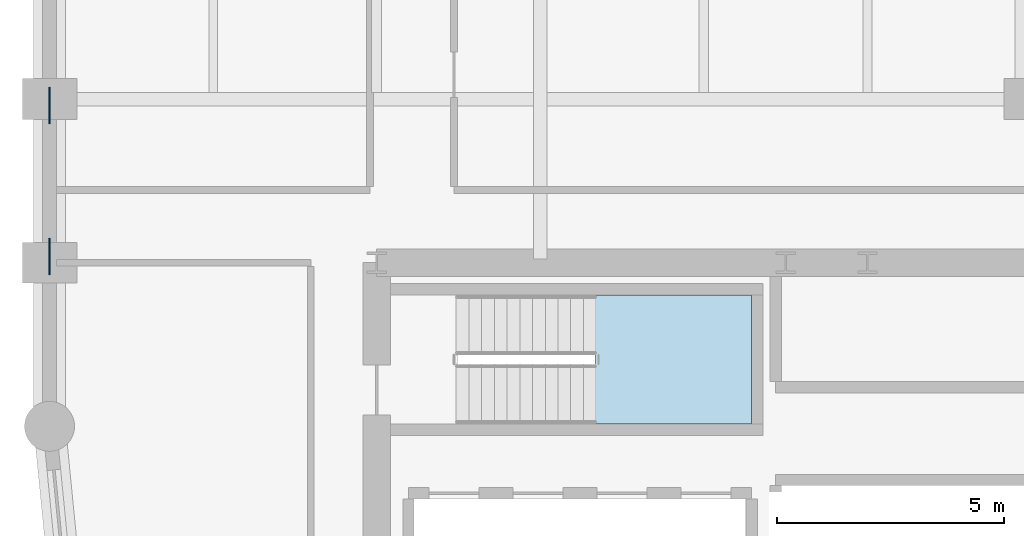
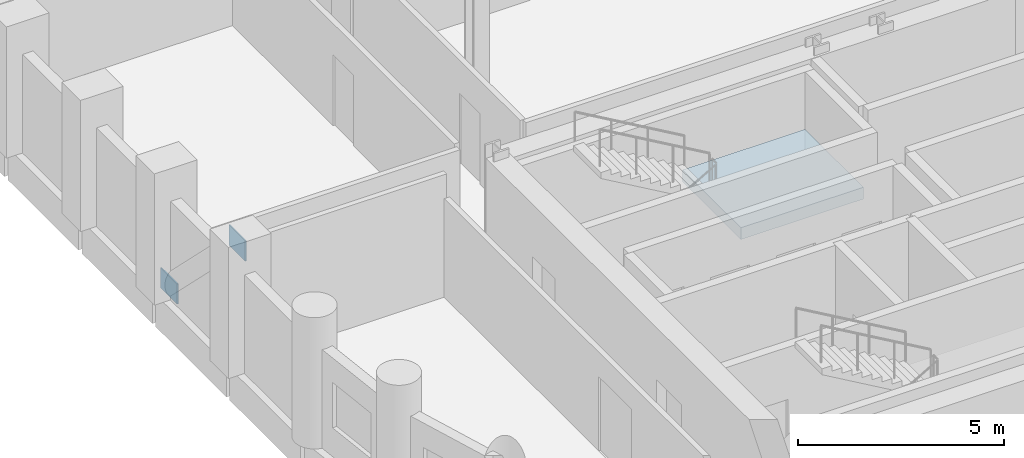
# One storey, part 3 of 9: 2 plates, 1 slab, 1 element without a shape of its own.
"""IFC4 building model written with IfcOpenShell, lengths in metres."""

from ifc_helpers import new_model, si_unit, direction, frame, origin, origin_2d, place, context, subcontext, project, spatial, polyline, rectangle, outline, extrude, material, layer, layer_set, type_object, element, aggregate, save


model = new_model("IFC4")

# Units and contexts
model_context = context("Model", 3, precision=1e-05, world=origin(), true_north=direction((0.0, 1.0)))
body_context = subcontext(model_context, "Body", "Model", "MODEL_VIEW")
ifc_project = project(units=[si_unit("LENGTHUNIT", "METRE"), si_unit("AREAUNIT", "SQUARE_METRE"), si_unit("VOLUMEUNIT", "CUBIC_METRE"), si_unit("PLANEANGLEUNIT", "RADIAN"), si_unit("MASSUNIT", "GRAM", prefix="KILO")], contexts=[model_context])

# Site, building, storey
site_placement = place(None, origin())
site = spatial("IfcSite", under=ifc_project, at=site_placement, CompositionType="ELEMENT")
building_placement = place(site_placement, origin())
building = spatial("IfcBuilding", under=site, at=building_placement, Name="Solnavia Interchange Tower", CompositionType="ELEMENT")
storey_placement = place(building_placement, frame((0.0, 0.0, 66.89990234375)))
storey = spatial("IfcBuildingStorey", under=building, at=storey_placement, Name="L16", CompositionType="ELEMENT", Elevation=66.89990234375)

# Plates
ifc_material_1 = material(Name="Steel S460", Category="steel")
ifc_layer_1 = layer(ifc_material_1, 0.035888671875)
ifc_layer_set_1 = layer_set([ifc_layer_1], Name="Steel S460")
plate_type = type_object("IfcPlateType", Name="Plate-Gusset-800x600x36", PredefinedType="USERDEFINED", material=ifc_layer_set_1)
for number, where, z_axis, x_axis, name in (
    (1, (7.199951171875, 28.659912109375, -0.119873046875), (0.0, 0.0, 1.0), (0.0, -1.0, 0.0), "PLT-L16-GP01 Perimeter brace gusset plate"),
    (2, (7.199951171875, 25.340087890625, 3.170166015625), (0.0, 0.0, 1.0), (0.0, -1.0, 0.0), "PLT-L16-GP02 Perimeter brace gusset plate"),
):
    element("IfcPlate", number, at=place(storey_placement, frame(where, z_axis=z_axis, x_axis=x_axis)), inside=storey, type_object=plate_type, Name=name, ObjectType="GUSSET PLATE", PredefinedType="USERDEFINED", context=body_context, shape_type="SweptSolid", body=[
        extrude(rectangle(XDim=0.800048828125, YDim=0.035888671875, at=origin_2d()), origin(), (0.0, 0.0, 1.0), 0.60009765625),
    ])

# Stair, slab
ifc_material_2 = material(Name="Concrete C40/50", Category="concrete")
stair_type = type_object("IfcStairType", Name="Stair-Dogleg-RC", PredefinedType="HALF_TURN_STAIR", material=ifc_material_2)
stair_placement = place(storey_placement, origin())
stair = element("IfcStair", 3, at=stair_placement, inside=storey, type_object=stair_type, Name="L16 Core exit stair 3", PredefinedType="HALF_TURN_STAIR")
ifc_layer_2 = layer(ifc_material_2, 0.35009765625)
ifc_layer_set_2 = layer_set([ifc_layer_2], Name="Concrete C40/50")
slab_type = type_object("IfcSlabType", Name="Slab-StairLanding-350", PredefinedType="LANDING", material=ifc_layer_set_2)
slab_placement = place(storey_placement, frame((0.0, 0.0, 1.60009765625)))
slab = element("IfcSlab", 4, at=slab_placement, type_object=slab_type, Name="ST-3 landing 1", PredefinedType="LANDING", context=body_context, shape_type="SweptSolid", body=[
    extrude(outline(polyline([(19.2080078125, 21.64990234375), (22.64990234375, 21.64990234375), (22.64990234375, 24.489990234375), (19.2080078125, 24.489990234375), (19.2080078125, 21.64990234375)])), origin(), (0.0, 0.0, 1.0), 0.35009765625),
])
aggregate(stair, [slab])

save(model, "model.ifc")
